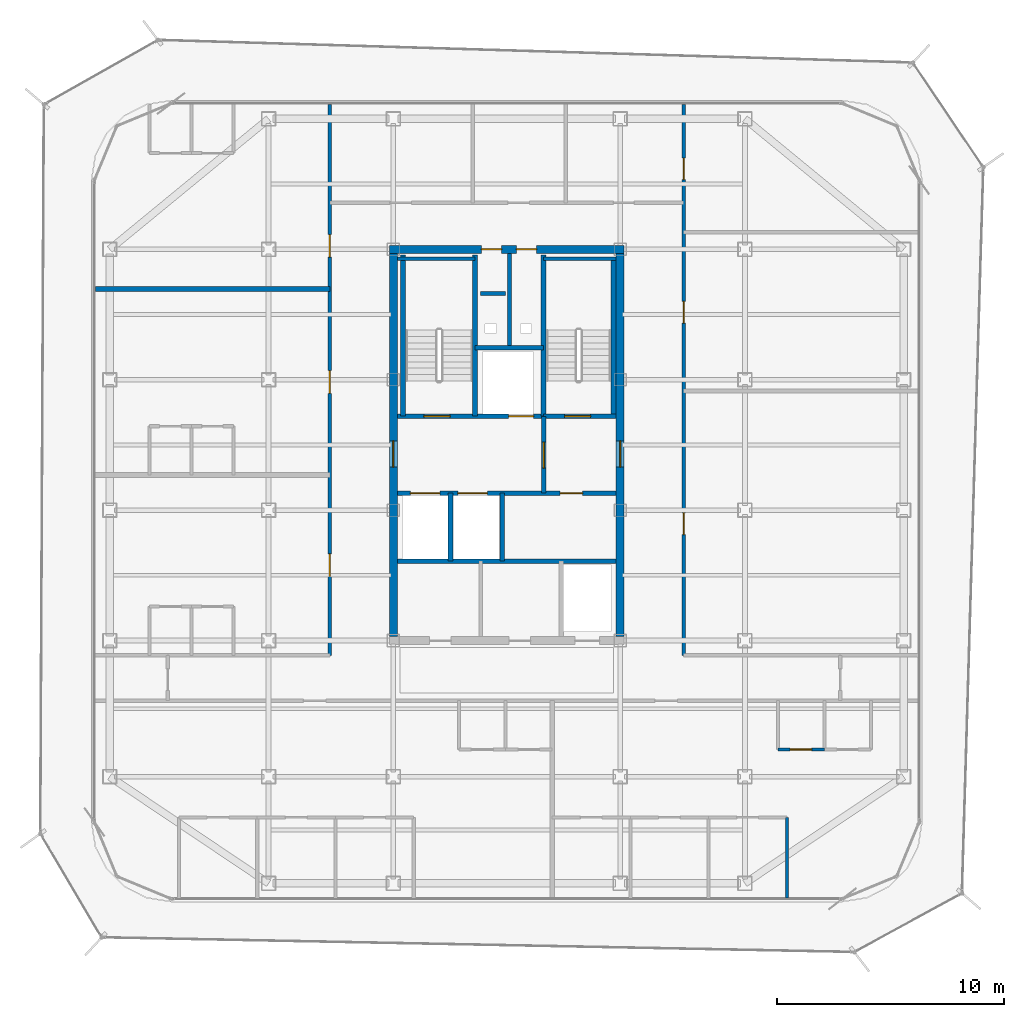
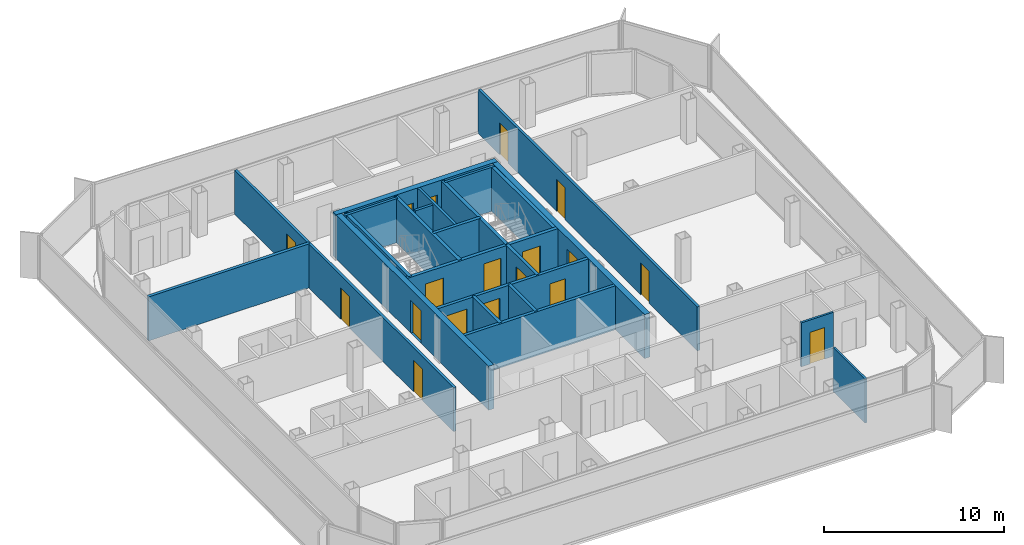
# One storey, part 11 of 15: 24 walls, 18 doors, 18 openings.
"""IFC4 building model written with IfcOpenShell, lengths in metres."""

from ifc_helpers import new_model, si_unit, direction, frame, frame_2d, origin, place, context, subcontext, project, spatial, rectangle, extrude, material, layer, layer_set, type_object, element, fill, save


model = new_model("IFC4")

# Units and contexts
model_context = context("Model", 3, precision=1e-05, world=origin(), true_north=direction((0.0, 1.0)))
body_context = subcontext(model_context, "Body", "Model", "MODEL_VIEW")
ifc_project = project(units=[si_unit("LENGTHUNIT", "METRE"), si_unit("AREAUNIT", "SQUARE_METRE"), si_unit("VOLUMEUNIT", "CUBIC_METRE"), si_unit("PLANEANGLEUNIT", "RADIAN"), si_unit("MASSUNIT", "GRAM", prefix="KILO")], contexts=[model_context])

# Site, building, storey
site_placement = place(None, origin())
site = spatial("IfcSite", under=ifc_project, at=site_placement, CompositionType="ELEMENT")
building_placement = place(site_placement, origin())
building = spatial("IfcBuilding", under=site, at=building_placement, Name="Kolveth Station Tower", CompositionType="ELEMENT")
storey_placement = place(building_placement, frame((0.0, 0.0, 258.5)))
storey = spatial("IfcBuildingStorey", under=building, at=storey_placement, Name="L74", CompositionType="ELEMENT", Elevation=258.5)

# Wall, openings, doors
ifc_material_1 = material(Name="Concrete C50/60", Category="concrete")
ifc_layer_1 = layer(ifc_material_1, 0.35009765625)
ifc_layer_set_1 = layer_set([ifc_layer_1], Name="Concrete C50/60")
wall_type_1 = type_object("IfcWallType", Name="Wall_CW-350", PredefinedType="SHEAR", material=ifc_layer_set_1)
wall_1_placement = place(storey_placement, frame((18.324951171875, 28.75, 0.0), z_axis=(0.0, 0.0, 1.0), x_axis=(1.0, 0.0, 0.0)))
wall_1 = element("IfcWall", 1, at=wall_1_placement, inside=storey, type_object=wall_type_1, Name="L74 Core RC Shear Wall N", PredefinedType="SHEAR", context=body_context, shape_type="SweptSolid", body=[
    extrude(rectangle(XDim=10.35009765625, YDim=0.35009765625, at=frame_2d((5.175048828125, 0.0))), origin(), (0.0, 0.0, 1.0), 2.97998046875),
])
opening_1_placement = place(wall_1_placement, frame((4.054931640625, 0.0, 0.0)))
opening_1 = element("IfcOpeningElement", 2, at=opening_1_placement, cuts=wall_1, Name="Opening RD1", PredefinedType="OPENING", context=body_context, shape_type="SweptSolid", body=[
    extrude(rectangle(XDim=0.89990234375, YDim=2.050048828125, at=frame_2d((0.449951171875, 1.02490234375))), frame((0.0, 0.18505859375, 0.0), z_axis=(0.0, -1.0, 0.0), x_axis=(1.0, 0.0, 0.0)), (0.0, 0.0, 1.0), 0.3701171875),
])
opening_2_placement = place(wall_1_placement, frame((5.594970703125, 0.0, 0.0)))
opening_2 = element("IfcOpeningElement", 3, at=opening_2_placement, cuts=wall_1, Name="Opening RD1", PredefinedType="OPENING", context=body_context, shape_type="SweptSolid", body=[
    extrude(rectangle(XDim=0.89990234375, YDim=2.050048828125, at=frame_2d((0.449951171875, 1.02490234375))), frame((0.0, 0.18505859375, 0.0), z_axis=(0.0, -1.0, 0.0), x_axis=(1.0, 0.0, 0.0)), (0.0, 0.0, 1.0), 0.3701171875),
])
ifc_material_2 = material(Name="Fire-rated Steel S355 riser access leaf", Category="steel")
door_type_1 = type_object("IfcDoorType", Name="Door_RD1", OperationType="NOTDEFINED", PredefinedType="DOOR", material=ifc_material_2)
door_1_placement = place(opening_1_placement, origin())
door_1 = element("IfcDoor", 4, at=door_1_placement, inside=storey, type_object=door_type_1, Name="L74 Electrical Riser Access Door", OperationType="SINGLE_SWING_RIGHT", OverallHeight=2.050048828125, OverallWidth=0.89990234375, PredefinedType="DOOR", context=body_context, shape_type="SweptSolid", body=[
    extrude(rectangle(XDim=0.89990234375, YDim=2.050048828125, at=frame_2d((0.449951171875, 1.02490234375))), frame((0.0, 0.02490234375, 0.0), z_axis=(0.0, -1.0, 0.0), x_axis=(1.0, 0.0, 0.0)), (0.0, 0.0, 1.0), 0.050048828125),
])
fill(opening_1, door_1)
door_2_placement = place(opening_2_placement, origin())
door_2 = element("IfcDoor", 5, at=door_2_placement, inside=storey, type_object=door_type_1, Name="L74 Smoke Duct Access Door", OperationType="SINGLE_SWING_LEFT", OverallHeight=2.050048828125, OverallWidth=0.89990234375, PredefinedType="DOOR", context=body_context, shape_type="SweptSolid", body=[
    extrude(rectangle(XDim=0.89990234375, YDim=2.050048828125, at=frame_2d((0.449951171875, 1.02490234375))), frame((0.0, 0.02490234375, 0.0), z_axis=(0.0, -1.0, 0.0), x_axis=(1.0, 0.0, 0.0)), (0.0, 0.0, 1.0), 0.050048828125),
])
fill(opening_2, door_2)

# Wall, opening, door
wall_2_placement = place(storey_placement, frame((18.5, 11.675048828125, 0.0), z_axis=(0.0, 0.0, 1.0), x_axis=(0.0, 1.0, 0.0)))
wall_2 = element("IfcWall", 6, at=wall_2_placement, inside=storey, type_object=wall_type_1, Name="L74 Core RC Shear Wall W", PredefinedType="SHEAR", context=body_context, shape_type="SweptSolid", body=[
    extrude(rectangle(XDim=16.89990234375, YDim=0.35009765625, at=frame_2d((8.449951171875, 0.0))), origin(), (0.0, 0.0, 1.0), 2.97998046875),
])
opening_3_placement = place(wall_2_placement, frame((7.47509765625, 0.0, 0.0)))
opening_3 = element("IfcOpeningElement", 7, at=opening_3_placement, cuts=wall_2, Name="Opening FD1", PredefinedType="OPENING", context=body_context, shape_type="SweptSolid", body=[
    extrude(rectangle(XDim=1.14990234375, YDim=2.199951171875, at=frame_2d((0.574951171875, 1.10009765625))), frame((0.0, 0.18505859375, 0.0), z_axis=(0.0, -1.0, 0.0), x_axis=(1.0, 0.0, 0.0)), (0.0, 0.0, 1.0), 0.3701171875),
])
ifc_material_3 = material(Name="Fire-rated Steel S355 leaf and frame", Category="steel")
door_type_2 = type_object("IfcDoorType", Name="Door_FD1", OperationType="NOTDEFINED", PredefinedType="DOOR", material=ifc_material_3)
door_3_placement = place(opening_3_placement, frame((1.14990234375, 0.0, 0.0), z_axis=(0.0, 0.0, 1.0), x_axis=(-1.0, 0.0, 0.0)))
door_3 = element("IfcDoor", 8, at=door_3_placement, inside=storey, type_object=door_type_2, Name="L74 West Corridor to Firefighting Lobby Door", OperationType="SINGLE_SWING_LEFT", OverallHeight=2.199951171875, OverallWidth=1.14990234375, PredefinedType="DOOR", context=body_context, shape_type="SweptSolid", body=[
    extrude(rectangle(XDim=1.14990234375, YDim=2.199951171875, at=frame_2d((0.574951171875, 1.10009765625))), frame((0.0, 0.02490234375, 0.0), z_axis=(0.0, -1.0, 0.0), x_axis=(1.0, 0.0, 0.0)), (0.0, 0.0, 1.0), 0.050048828125),
])
fill(opening_3, door_3)

wall_3_placement = place(storey_placement, frame((28.5, 11.675048828125, 0.0), z_axis=(0.0, 0.0, 1.0), x_axis=(0.0, 1.0, 0.0)))
wall_3 = element("IfcWall", 9, at=wall_3_placement, inside=storey, type_object=wall_type_1, Name="L74 Core RC Shear Wall E", PredefinedType="SHEAR", context=body_context, shape_type="SweptSolid", body=[
    extrude(rectangle(XDim=16.89990234375, YDim=0.35009765625, at=frame_2d((8.449951171875, 0.0))), origin(), (0.0, 0.0, 1.0), 2.97998046875),
])
opening_4_placement = place(wall_3_placement, frame((7.47509765625, 0.0, 0.0)))
opening_4 = element("IfcOpeningElement", 10, at=opening_4_placement, cuts=wall_3, Name="Opening FD1", PredefinedType="OPENING", context=body_context, shape_type="SweptSolid", body=[
    extrude(rectangle(XDim=1.14990234375, YDim=2.199951171875, at=frame_2d((0.574951171875, 1.10009765625))), frame((0.0, 0.18505859375, 0.0), z_axis=(0.0, -1.0, 0.0), x_axis=(1.0, 0.0, 0.0)), (0.0, 0.0, 1.0), 0.3701171875),
])
door_4_placement = place(opening_4_placement, origin())
door_4 = element("IfcDoor", 11, at=door_4_placement, inside=storey, type_object=door_type_2, Name="L74 East Corridor to Stair Lobby Door", OperationType="SINGLE_SWING_LEFT", OverallHeight=2.199951171875, OverallWidth=1.14990234375, PredefinedType="DOOR", context=body_context, shape_type="SweptSolid", body=[
    extrude(rectangle(XDim=1.14990234375, YDim=2.199951171875, at=frame_2d((0.574951171875, 1.10009765625))), frame((0.0, 0.02490234375, 0.0), z_axis=(0.0, -1.0, 0.0), x_axis=(1.0, 0.0, 0.0)), (0.0, 0.0, 1.0), 0.050048828125),
])
fill(opening_4, door_4)

ifc_material_4 = material(Name="Moisture-resistant gypsum partition")
ifc_layer_2 = layer(ifc_material_4, 0.135009765625)
ifc_layer_set_2 = layer_set([ifc_layer_2], Name="Moisture-resistant gypsum partition")
wall_type_2 = type_object("IfcWallType", Name="Wall_IW-135", PredefinedType="PARTITIONING", material=ifc_layer_set_2)
wall_4_placement = place(storey_placement, frame((35.449951171875, 6.699951171875, 0.0), z_axis=(0.0, 0.0, 1.0), x_axis=(1.0, 0.0, 0.0)))
wall_4 = element("IfcWall", 12, at=wall_4_placement, inside=storey, type_object=wall_type_2, Name="L74 Partition Wall WL-L74-A2-IBHK", PredefinedType="PARTITIONING", context=body_context, shape_type="SweptSolid", body=[
    extrude(rectangle(XDim=2.050048828125, YDim=0.135009765625, at=frame_2d((1.02490234375, 0.0))), origin(), (0.0, 0.0, 1.0), 2.97998046875),
])
opening_5_placement = place(wall_4_placement, frame((0.544921875, 0.0, 0.0)))
opening_5 = element("IfcOpeningElement", 13, at=opening_5_placement, cuts=wall_4, Name="Opening ID1", PredefinedType="OPENING", context=body_context, shape_type="SweptSolid", body=[
    extrude(rectangle(XDim=0.949951171875, YDim=2.14990234375, at=frame_2d((0.47509765625, 1.074951171875))), frame((0.0, 0.077392578125, 0.0), z_axis=(0.0, -1.0, 0.0), x_axis=(1.0, 0.0, 0.0)), (0.0, 0.0, 1.0), 0.155029296875),
])
ifc_material_5 = material(Name="Acoustic hardwood leaf and aluminium frame", Category="wood")
door_type_3 = type_object("IfcDoorType", Name="Door_ID1", OperationType="NOTDEFINED", PredefinedType="DOOR", material=ifc_material_5)
door_5_placement = place(opening_5_placement, origin())
door_5 = element("IfcDoor", 14, at=door_5_placement, inside=storey, type_object=door_type_3, Name="Penthouse Flat L74-A2 Kitchen Door", OperationType="SINGLE_SWING_RIGHT", OverallHeight=2.14990234375, OverallWidth=0.949951171875, PredefinedType="DOOR", context=body_context, shape_type="SweptSolid", body=[
    extrude(rectangle(XDim=0.949951171875, YDim=2.14990234375, at=frame_2d((0.47509765625, 1.074951171875))), frame((0.0, 0.02490234375, 0.0), z_axis=(0.0, -1.0, 0.0), x_axis=(1.0, 0.0, 0.0)), (0.0, 0.0, 1.0), 0.050048828125),
])
fill(opening_5, door_5)

# Walls
wall_5_placement = place(storey_placement, frame((35.85009765625, 0.159912109375, 0.0), z_axis=(0.0, 0.0, 1.0), x_axis=(0.0, 1.0, 0.0)))
element("IfcWall", 15, at=wall_5_placement, inside=storey, type_object=wall_type_2, Name="L74 Partition Wall WL-L74-A2-BDVE", PredefinedType="PARTITIONING", context=body_context, shape_type="SweptSolid", body=[
    extrude(rectangle(XDim=3.550048828125, YDim=0.135009765625, at=frame_2d((1.77490234375, 0.0))), origin(), (0.0, 0.0, 1.0), 2.97998046875),
])
ifc_material_6 = material(Name="Acoustic double-stud gypsum partition")
ifc_layer_3 = layer(ifc_material_6, 0.1650390625)
ifc_layer_set_3 = layer_set([ifc_layer_3], Name="Acoustic double-stud gypsum partition")
wall_type_3 = type_object("IfcWallType", Name="Wall_IW-165", PredefinedType="PARTITIONING", material=ifc_layer_set_3)
wall_6_placement = place(storey_placement, frame((18.68505859375, 28.3349609375, 0.0), z_axis=(0.0, 0.0, 1.0), x_axis=(1.0, 0.0, 0.0)))
element("IfcWall", 16, at=wall_6_placement, inside=storey, type_object=wall_type_3, Name="L74 Stair Shaft Wall WL-L74-ST1-N", PredefinedType="PARTITIONING", context=body_context, shape_type="SweptSolid", body=[
    extrude(rectangle(XDim=3.425048828125, YDim=0.1650390625, at=frame_2d((1.71240234375, 0.0))), origin(), (0.0, 0.0, 1.0), 2.97998046875),
])
wall_7_placement = place(storey_placement, frame((25.1298828125, 28.3349609375, 0.0), z_axis=(0.0, 0.0, 1.0), x_axis=(1.0, 0.0, 0.0)))
element("IfcWall", 17, at=wall_7_placement, inside=storey, type_object=wall_type_3, Name="L74 Stair Shaft Wall WL-L74-ST2-N", PredefinedType="PARTITIONING", context=body_context, shape_type="SweptSolid", body=[
    extrude(rectangle(XDim=3.18505859375, YDim=0.1650390625, at=frame_2d((1.592529296875, 0.0))), origin(), (0.0, 0.0, 1.0), 2.97998046875),
])
wall_8_placement = place(storey_placement, frame((23.6201171875, 24.39990234375, 0.0), z_axis=(0.0, 0.0, 1.0), x_axis=(0.0, 1.0, 0.0)))
element("IfcWall", 18, at=wall_8_placement, inside=storey, type_object=wall_type_3, Name="L74 Partition Wall WL-L74-RSR-M", PredefinedType="PARTITIONING", context=body_context, shape_type="SweptSolid", body=[
    extrude(rectangle(XDim=4.1650390625, YDim=0.1650390625, at=frame_2d((2.08251953125, 0.0))), origin(), (0.0, 0.0, 1.0), 2.97998046875),
])

# Wall, openings, doors
wall_9_placement = place(storey_placement, frame((15.699951171875, 10.85009765625, 0.0), z_axis=(0.0, 0.0, 1.0), x_axis=(0.0, 1.0, 0.0)))
wall_9 = element("IfcWall", 19, at=wall_9_placement, inside=storey, type_object=wall_type_3, Name="L74 Partition Wall WL-L74-RW", PredefinedType="PARTITIONING", context=body_context, shape_type="SweptSolid", body=[
    extrude(rectangle(XDim=24.289794921875, YDim=0.1650390625, at=frame_2d((12.14501953125, 0.0))), origin(), (0.0, 0.0, 1.0), 2.97998046875),
])
opening_6_placement = place(wall_9_placement, frame((3.47509765625, 0.0, 0.0)))
opening_6 = element("IfcOpeningElement", 20, at=opening_6_placement, cuts=wall_9, Name="Opening FD3", PredefinedType="OPENING", context=body_context, shape_type="SweptSolid", body=[
    extrude(rectangle(XDim=1.0, YDim=2.14990234375, at=frame_2d((0.5, 1.074951171875))), frame((0.0, 0.092529296875, 0.0), z_axis=(0.0, -1.0, 0.0), x_axis=(1.0, 0.0, 0.0)), (0.0, 0.0, 1.0), 0.18505859375),
])
opening_7_placement = place(wall_9_placement, frame((11.550048828125, 0.0, 0.0)))
opening_7 = element("IfcOpeningElement", 21, at=opening_7_placement, cuts=wall_9, Name="Opening FD3", PredefinedType="OPENING", context=body_context, shape_type="SweptSolid", body=[
    extrude(rectangle(XDim=1.0, YDim=2.14990234375, at=frame_2d((0.5, 1.074951171875))), frame((0.0, 0.092529296875, 0.0), z_axis=(0.0, -1.0, 0.0), x_axis=(1.0, 0.0, 0.0)), (0.0, 0.0, 1.0), 0.18505859375),
])
opening_8_placement = place(wall_9_placement, frame((17.550048828125, 0.0, 0.0)))
opening_8 = element("IfcOpeningElement", 22, at=opening_8_placement, cuts=wall_9, Name="Opening FD3", PredefinedType="OPENING", context=body_context, shape_type="SweptSolid", body=[
    extrude(rectangle(XDim=1.0, YDim=2.14990234375, at=frame_2d((0.5, 1.074951171875))), frame((0.0, 0.092529296875, 0.0), z_axis=(0.0, -1.0, 0.0), x_axis=(1.0, 0.0, 0.0)), (0.0, 0.0, 1.0), 0.18505859375),
])
ifc_material_7 = material(Name="Fire-rated hardwood leaf and aluminium frame", Category="wood")
door_type_4 = type_object("IfcDoorType", Name="Door_FD3", OperationType="NOTDEFINED", PredefinedType="DOOR", material=ifc_material_7)
door_6_placement = place(opening_6_placement, origin())
door_6 = element("IfcDoor", 23, at=door_6_placement, inside=storey, type_object=door_type_4, Name="Flat L74-W1 Entrance Door", OperationType="SINGLE_SWING_RIGHT", OverallHeight=2.14990234375, OverallWidth=1.0, PredefinedType="DOOR", context=body_context, shape_type="SweptSolid", body=[
    extrude(rectangle(XDim=1.0, YDim=2.14990234375, at=frame_2d((0.5, 1.074951171875))), frame((0.0, 0.02490234375, 0.0), z_axis=(0.0, -1.0, 0.0), x_axis=(1.0, 0.0, 0.0)), (0.0, 0.0, 1.0), 0.050048828125),
])
fill(opening_6, door_6)
door_7_placement = place(opening_7_placement, origin())
door_7 = element("IfcDoor", 24, at=door_7_placement, inside=storey, type_object=door_type_4, Name="Flat L74-W2 Entrance Door", OperationType="SINGLE_SWING_LEFT", OverallHeight=2.14990234375, OverallWidth=1.0, PredefinedType="DOOR", context=body_context, shape_type="SweptSolid", body=[
    extrude(rectangle(XDim=1.0, YDim=2.14990234375, at=frame_2d((0.5, 1.074951171875))), frame((0.0, 0.02490234375, 0.0), z_axis=(0.0, -1.0, 0.0), x_axis=(1.0, 0.0, 0.0)), (0.0, 0.0, 1.0), 0.050048828125),
])
fill(opening_7, door_7)
door_8_placement = place(opening_8_placement, origin())
door_8 = element("IfcDoor", 25, at=door_8_placement, inside=storey, type_object=door_type_4, Name="Flat L74-W3 Entrance Door", OperationType="SINGLE_SWING_RIGHT", OverallHeight=2.14990234375, OverallWidth=1.0, PredefinedType="DOOR", context=body_context, shape_type="SweptSolid", body=[
    extrude(rectangle(XDim=1.0, YDim=2.14990234375, at=frame_2d((0.5, 1.074951171875))), frame((0.0, 0.02490234375, 0.0), z_axis=(0.0, -1.0, 0.0), x_axis=(1.0, 0.0, 0.0)), (0.0, 0.0, 1.0), 0.050048828125),
])
fill(opening_8, door_8)

wall_10_placement = place(storey_placement, frame((31.300048828125, 10.85009765625, 0.0), z_axis=(0.0, 0.0, 1.0), x_axis=(0.0, 1.0, 0.0)))
wall_10 = element("IfcWall", 26, at=wall_10_placement, inside=storey, type_object=wall_type_3, Name="L74 Partition Wall WL-L74-RE", PredefinedType="PARTITIONING", context=body_context, shape_type="SweptSolid", body=[
    extrude(rectangle(XDim=24.289794921875, YDim=0.1650390625, at=frame_2d((12.14501953125, 0.0))), origin(), (0.0, 0.0, 1.0), 2.97998046875),
])
opening_9_placement = place(wall_10_placement, frame((5.324951171875, 0.0, 0.0)))
opening_9 = element("IfcOpeningElement", 27, at=opening_9_placement, cuts=wall_10, Name="Opening ID1", PredefinedType="OPENING", context=body_context, shape_type="SweptSolid", body=[
    extrude(rectangle(XDim=0.949951171875, YDim=2.14990234375, at=frame_2d((0.47509765625, 1.074951171875))), frame((0.0, 0.092529296875, 0.0), z_axis=(0.0, -1.0, 0.0), x_axis=(1.0, 0.0, 0.0)), (0.0, 0.0, 1.0), 0.18505859375),
])
opening_10_placement = place(wall_10_placement, frame((14.64990234375, 0.0, 0.0)))
opening_10 = element("IfcOpeningElement", 28, at=opening_10_placement, cuts=wall_10, Name="Opening ID1", PredefinedType="OPENING", context=body_context, shape_type="SweptSolid", body=[
    extrude(rectangle(XDim=0.949951171875, YDim=2.14990234375, at=frame_2d((0.47509765625, 1.074951171875))), frame((0.0, 0.092529296875, 0.0), z_axis=(0.0, -1.0, 0.0), x_axis=(1.0, 0.0, 0.0)), (0.0, 0.0, 1.0), 0.18505859375),
])
opening_11_placement = place(wall_10_placement, frame((20.969970703125, 0.0, 0.0)))
opening_11 = element("IfcOpeningElement", 29, at=opening_11_placement, cuts=wall_10, Name="Opening ID1", PredefinedType="OPENING", context=body_context, shape_type="SweptSolid", body=[
    extrude(rectangle(XDim=0.949951171875, YDim=2.14990234375, at=frame_2d((0.47509765625, 1.074951171875))), frame((0.0, 0.092529296875, 0.0), z_axis=(0.0, -1.0, 0.0), x_axis=(1.0, 0.0, 0.0)), (0.0, 0.0, 1.0), 0.18505859375),
])
door_9_placement = place(opening_9_placement, origin())
door_9 = element("IfcDoor", 30, at=door_9_placement, inside=storey, type_object=door_type_3, Name="L74 Sky Dining Salon East Door", OperationType="SINGLE_SWING_LEFT", OverallHeight=2.14990234375, OverallWidth=0.949951171875, PredefinedType="DOOR", context=body_context, shape_type="SweptSolid", body=[
    extrude(rectangle(XDim=0.949951171875, YDim=2.14990234375, at=frame_2d((0.47509765625, 1.074951171875))), frame((0.0, 0.02490234375, 0.0), z_axis=(0.0, -1.0, 0.0), x_axis=(1.0, 0.0, 0.0)), (0.0, 0.0, 1.0), 0.050048828125),
])
fill(opening_9, door_9)
door_10_placement = place(opening_10_placement, origin())
door_10 = element("IfcDoor", 31, at=door_10_placement, inside=storey, type_object=door_type_3, Name="L74 Private Music Room Door", OperationType="SINGLE_SWING_LEFT", OverallHeight=2.14990234375, OverallWidth=0.949951171875, PredefinedType="DOOR", context=body_context, shape_type="SweptSolid", body=[
    extrude(rectangle(XDim=0.949951171875, YDim=2.14990234375, at=frame_2d((0.47509765625, 1.074951171875))), frame((0.0, 0.02490234375, 0.0), z_axis=(0.0, -1.0, 0.0), x_axis=(1.0, 0.0, 0.0)), (0.0, 0.0, 1.0), 0.050048828125),
])
fill(opening_10, door_10)
door_11_placement = place(opening_11_placement, origin())
door_11 = element("IfcDoor", 32, at=door_11_placement, inside=storey, type_object=door_type_3, Name="L74 Catering Pantry Door", OperationType="SINGLE_SWING_LEFT", OverallHeight=2.14990234375, OverallWidth=0.949951171875, PredefinedType="DOOR", context=body_context, shape_type="SweptSolid", body=[
    extrude(rectangle(XDim=0.949951171875, YDim=2.14990234375, at=frame_2d((0.47509765625, 1.074951171875))), frame((0.0, 0.02490234375, 0.0), z_axis=(0.0, -1.0, 0.0), x_axis=(1.0, 0.0, 0.0)), (0.0, 0.0, 1.0), 0.050048828125),
])
fill(opening_11, door_11)

# Walls
wall_11_placement = place(storey_placement, frame((22.35009765625, 26.800048828125, 0.0), z_axis=(0.0, 0.0, 1.0), x_axis=(1.0, 0.0, 0.0)))
element("IfcWall", 33, at=wall_11_placement, inside=storey, type_object=wall_type_3, Name="L74 Acoustic Riser Dry-Lining Wall", PredefinedType="PARTITIONING", context=body_context, shape_type="SweptSolid", body=[
    extrude(rectangle(XDim=1.099853515625, YDim=0.1650390625, at=frame_2d((0.5498046875, 0.0))), origin(), (0.0, 0.0, 1.0), 2.97998046875),
])
ifc_material_8 = material(Name="Acoustic fire-rated gypsum blockwork", Category="masonry")
ifc_layer_4 = layer(ifc_material_8, 0.199951171875)
ifc_layer_set_4 = layer_set([ifc_layer_4], Name="Acoustic fire-rated gypsum blockwork")
wall_type_4 = type_object("IfcWallType", Name="Wall_IW-200", PredefinedType="PARTITIONING", material=ifc_layer_set_4)
wall_12_placement = place(storey_placement, frame((22.110107421875, 24.39990234375, 0.0), z_axis=(0.0, 0.0, 1.0), x_axis=(1.0, 0.0, 0.0)))
element("IfcWall", 34, at=wall_12_placement, inside=storey, type_object=wall_type_4, Name="L74 Partition Wall WL-L74-RSR-S", PredefinedType="PARTITIONING", context=body_context, shape_type="SweptSolid", body=[
    extrude(rectangle(XDim=3.019775390625, YDim=0.199951171875, at=frame_2d((1.509765625, 0.0))), origin(), (0.0, 0.0, 1.0), 2.97998046875),
])

# Wall, opening, door
wall_13_placement = place(storey_placement, frame((25.1298828125, 18.0, 0.0), z_axis=(0.0, 0.0, 1.0), x_axis=(0.0, 1.0, 0.0)))
wall_13 = element("IfcWall", 35, at=wall_13_placement, inside=storey, type_object=wall_type_4, Name="L74 Partition Wall WL-L74-FFL-E", PredefinedType="PARTITIONING", context=body_context, shape_type="SweptSolid", body=[
    extrude(rectangle(XDim=3.389892578125, YDim=0.199951171875, at=frame_2d((1.69482421875, 0.0))), origin(), (0.0, 0.0, 1.0), 2.97998046875),
])
opening_12_placement = place(wall_13_placement, frame((1.10009765625, 0.0, 0.0)))
opening_12 = element("IfcOpeningElement", 36, at=opening_12_placement, cuts=wall_13, Name="Opening FD1", PredefinedType="OPENING", context=body_context, shape_type="SweptSolid", body=[
    extrude(rectangle(XDim=1.14990234375, YDim=2.199951171875, at=frame_2d((0.574951171875, 1.10009765625))), frame((0.0, 0.10986328125, 0.0), z_axis=(0.0, -1.0, 0.0), x_axis=(1.0, 0.0, 0.0)), (0.0, 0.0, 1.0), 0.219970703125),
])
door_12_placement = place(opening_12_placement, origin())
door_12 = element("IfcDoor", 37, at=door_12_placement, inside=storey, type_object=door_type_2, Name="L74 Firefighting to Stair Lobby Door", OperationType="SINGLE_SWING_RIGHT", OverallHeight=2.199951171875, OverallWidth=1.14990234375, PredefinedType="DOOR", context=body_context, shape_type="SweptSolid", body=[
    extrude(rectangle(XDim=1.14990234375, YDim=2.199951171875, at=frame_2d((0.574951171875, 1.10009765625))), frame((0.0, 0.02490234375, 0.0), z_axis=(0.0, -1.0, 0.0), x_axis=(1.0, 0.0, 0.0)), (0.0, 0.0, 1.0), 0.050048828125),
])
fill(opening_12, door_12)

# Wall, openings, doors
wall_14_placement = place(storey_placement, frame((18.68505859375, 18.0, 0.0), z_axis=(0.0, 0.0, 1.0), x_axis=(1.0, 0.0, 0.0)))
wall_14 = element("IfcWall", 38, at=wall_14_placement, inside=storey, type_object=wall_type_4, Name="L74 Partition Wall WL-L74-FFL-S", PredefinedType="PARTITIONING", context=body_context, shape_type="SweptSolid", body=[
    extrude(rectangle(XDim=9.6298828125, YDim=0.199951171875, at=frame_2d((4.81494140625, 0.0))), origin(), (0.0, 0.0, 1.0), 2.97998046875),
])
opening_13_placement = place(wall_14_placement, frame((0.56494140625, 0.0, 0.0)))
opening_13 = element("IfcOpeningElement", 39, at=opening_13_placement, cuts=wall_14, Name="Opening LD2", PredefinedType="OPENING", context=body_context, shape_type="SweptSolid", body=[
    extrude(rectangle(XDim=1.300048828125, YDim=2.300048828125, at=frame_2d((0.64990234375, 1.14990234375))), frame((0.0, 0.10986328125, 0.0), z_axis=(0.0, -1.0, 0.0), x_axis=(1.0, 0.0, 0.0)), (0.0, 0.0, 1.0), 0.219970703125),
])
opening_14_placement = place(wall_14_placement, frame((2.6650390625, 0.0, 0.0)))
opening_14 = element("IfcOpeningElement", 40, at=opening_14_placement, cuts=wall_14, Name="Opening LD2", PredefinedType="OPENING", context=body_context, shape_type="SweptSolid", body=[
    extrude(rectangle(XDim=1.300048828125, YDim=2.300048828125, at=frame_2d((0.64990234375, 1.14990234375))), frame((0.0, 0.10986328125, 0.0), z_axis=(0.0, -1.0, 0.0), x_axis=(1.0, 0.0, 0.0)), (0.0, 0.0, 1.0), 0.219970703125),
])
opening_15_placement = place(wall_14_placement, frame((7.1650390625, 0.0, 0.0)))
opening_15 = element("IfcOpeningElement", 41, at=opening_15_placement, cuts=wall_14, Name="Opening FD3", PredefinedType="OPENING", context=body_context, shape_type="SweptSolid", body=[
    extrude(rectangle(XDim=1.0, YDim=2.14990234375, at=frame_2d((0.5, 1.074951171875))), frame((0.0, 0.10986328125, 0.0), z_axis=(0.0, -1.0, 0.0), x_axis=(1.0, 0.0, 0.0)), (0.0, 0.0, 1.0), 0.219970703125),
])
door_13_placement = place(opening_15_placement, frame((1.0, 0.0, 0.0), z_axis=(0.0, 0.0, 1.0), x_axis=(-1.0, 0.0, 0.0)))
door_13 = element("IfcDoor", 42, at=door_13_placement, inside=storey, type_object=door_type_4, Name="L74 Core Staff Pantry Door", OperationType="SINGLE_SWING_LEFT", OverallHeight=2.14990234375, OverallWidth=1.0, PredefinedType="DOOR", context=body_context, shape_type="SweptSolid", body=[
    extrude(rectangle(XDim=1.0, YDim=2.14990234375, at=frame_2d((0.5, 1.074951171875))), frame((0.0, 0.02490234375, 0.0), z_axis=(0.0, -1.0, 0.0), x_axis=(1.0, 0.0, 0.0)), (0.0, 0.0, 1.0), 0.050048828125),
])
fill(opening_15, door_13)
ifc_material_9 = material(Name="Firefighting stainless steel sliding landing doors", Category="steel")
door_type_5 = type_object("IfcDoorType", Name="Door_LD2", OperationType="NOTDEFINED", PredefinedType="DOOR", material=ifc_material_9)
door_14_placement = place(opening_13_placement, origin())
door_14 = element("IfcDoor", 43, at=door_14_placement, inside=storey, type_object=door_type_5, Name="L74 Firefighting Lift FF1 Landing Door", OperationType="DOUBLE_DOOR_SLIDING", OverallHeight=2.300048828125, OverallWidth=1.300048828125, PredefinedType="DOOR", context=body_context, shape_type="SweptSolid", body=[
    extrude(rectangle(XDim=1.300048828125, YDim=2.300048828125, at=frame_2d((0.64990234375, 1.14990234375))), frame((0.0, 0.02490234375, 0.0), z_axis=(0.0, -1.0, 0.0), x_axis=(1.0, 0.0, 0.0)), (0.0, 0.0, 1.0), 0.050048828125),
])
fill(opening_13, door_14)
door_15_placement = place(opening_14_placement, origin())
door_15 = element("IfcDoor", 44, at=door_15_placement, inside=storey, type_object=door_type_5, Name="L74 Firefighting Lift FF2 Landing Door", OperationType="DOUBLE_DOOR_SLIDING", OverallHeight=2.300048828125, OverallWidth=1.300048828125, PredefinedType="DOOR", context=body_context, shape_type="SweptSolid", body=[
    extrude(rectangle(XDim=1.300048828125, YDim=2.300048828125, at=frame_2d((0.64990234375, 1.14990234375))), frame((0.0, 0.02490234375, 0.0), z_axis=(0.0, -1.0, 0.0), x_axis=(1.0, 0.0, 0.0)), (0.0, 0.0, 1.0), 0.050048828125),
])
fill(opening_14, door_15)

# Walls
for number, where, z_axis, x_axis, name in (
    (45, (21.02001953125, 15.0, 0.0), (0.0, 0.0, 1.0), (0.0, 1.0, 0.0), "L74 Partition Wall WL-L74-FF12"),
    (46, (23.300048828125, 15.0, 0.0), (0.0, 0.0, 1.0), (0.0, 1.0, 0.0), "L74 Partition Wall WL-L74-FF2E"),
):
    element("IfcWall", number, at=place(storey_placement, frame(where, z_axis=z_axis, x_axis=x_axis)), inside=storey, type_object=wall_type_4, Name=name, PredefinedType="PARTITIONING", context=body_context, shape_type="SweptSolid", body=[
        extrude(rectangle(XDim=3.0, YDim=0.199951171875, at=frame_2d((1.5, 0.0))), origin(), (0.0, 0.0, 1.0), 2.97998046875),
    ])
wall_15_placement = place(storey_placement, frame((18.68505859375, 15.0, 0.0), z_axis=(0.0, 0.0, 1.0), x_axis=(1.0, 0.0, 0.0)))
element("IfcWall", 47, at=wall_15_placement, inside=storey, type_object=wall_type_4, Name="L74 Partition Wall WL-L74-BOH-S", PredefinedType="PARTITIONING", context=body_context, shape_type="SweptSolid", body=[
    extrude(rectangle(XDim=9.6298828125, YDim=0.199951171875, at=frame_2d((4.81494140625, 0.0))), origin(), (0.0, 0.0, 1.0), 2.97998046875),
])
wall_16_placement = place(storey_placement, frame((5.360107421875, 27.0, 0.0), z_axis=(0.0, 0.0, 1.0), x_axis=(1.0, 0.0, 0.0)))
element("IfcWall", 48, at=wall_16_placement, inside=storey, type_object=wall_type_4, Name="L74 Partition Wall WL-L74-RWU-2", PredefinedType="PARTITIONING", context=body_context, shape_type="SweptSolid", body=[
    extrude(rectangle(XDim=10.33984375, YDim=0.199951171875, at=frame_2d((5.169921875, 0.0))), origin(), (0.0, 0.0, 1.0), 2.97998046875),
])
ifc_material_10 = material(Name="Concrete C40/50", Category="concrete")
ifc_layer_5 = layer(ifc_material_10, 0.219970703125)
ifc_layer_set_5 = layer_set([ifc_layer_5], Name="Concrete C40/50")
wall_type_5 = type_object("IfcWallType", Name="Wall_IW-220", PredefinedType="SOLIDWALL", material=ifc_layer_set_5)
for number, where, z_axis, x_axis, name in (
    (49, (18.929931640625, 21.389892578125, 0.0), (0.0, 0.0, 1.0), (0.0, 1.0, 0.0), "L74 Stair Shaft Wall WL-L74-ST1-W"),
    (50, (22.110107421875, 21.389892578125, 0.0), (0.0, 0.0, 1.0), (0.0, 1.0, 0.0), "L74 Stair Shaft Wall WL-L74-ST1-E"),
    (51, (25.1298828125, 21.389892578125, 0.0), (0.0, 0.0, 1.0), (0.0, 1.0, 0.0), "L74 Stair Shaft Wall WL-L74-ST2-W"),
):
    element("IfcWall", number, at=place(storey_placement, frame(where, z_axis=z_axis, x_axis=x_axis)), inside=storey, type_object=wall_type_5, Name=name, PredefinedType="SOLIDWALL", context=body_context, shape_type="SweptSolid", body=[
        extrude(rectangle(XDim=7.110107421875, YDim=0.219970703125, at=frame_2d((3.55517578125, 0.0))), origin(), (0.0, 0.0, 1.0), 2.97998046875),
    ])
wall_17_placement = place(storey_placement, frame((28.2099609375, 21.389892578125, 0.0), z_axis=(0.0, 0.0, 1.0), x_axis=(0.0, 1.0, 0.0)))
element("IfcWall", 52, at=wall_17_placement, inside=storey, type_object=wall_type_5, Name="L74 Stair Shaft Wall WL-L74-ST2-E", PredefinedType="SOLIDWALL", context=body_context, shape_type="SweptSolid", body=[
    extrude(rectangle(XDim=6.945068359375, YDim=0.219970703125, at=frame_2d((3.47265625, 0.0))), origin(), (0.0, 0.0, 1.0), 2.97998046875),
])

# Wall, openings, doors
wall_18_placement = place(storey_placement, frame((18.68505859375, 21.389892578125, 0.0), z_axis=(0.0, 0.0, 1.0), x_axis=(1.0, 0.0, 0.0)))
wall_18 = element("IfcWall", 53, at=wall_18_placement, inside=storey, type_object=wall_type_5, Name="L74 Stair Shaft Wall WL-L74-ST1-S", PredefinedType="SOLIDWALL", context=body_context, shape_type="SweptSolid", body=[
    extrude(rectangle(XDim=6.44482421875, YDim=0.219970703125, at=frame_2d((3.222412109375, 0.0))), origin(), (0.0, 0.0, 1.0), 2.97998046875),
])
opening_16_placement = place(wall_18_placement, frame((1.1650390625, 0.0, 0.0)))
opening_16 = element("IfcOpeningElement", 54, at=opening_16_placement, cuts=wall_18, Name="Opening FD1", PredefinedType="OPENING", context=body_context, shape_type="SweptSolid", body=[
    extrude(rectangle(XDim=1.14990234375, YDim=2.199951171875, at=frame_2d((0.574951171875, 1.10009765625))), frame((0.0, 0.119873046875, 0.0), z_axis=(0.0, -1.0, 0.0), x_axis=(1.0, 0.0, 0.0)), (0.0, 0.0, 1.0), 0.239990234375),
])
opening_17_placement = place(wall_18_placement, frame((4.89501953125, 0.0, 0.0)))
opening_17 = element("IfcOpeningElement", 55, at=opening_17_placement, cuts=wall_18, Name="Opening LD1", PredefinedType="OPENING", context=body_context, shape_type="SweptSolid", body=[
    extrude(rectangle(XDim=1.10009765625, YDim=2.25, at=frame_2d((0.550048828125, 1.125))), frame((0.0, 0.119873046875, 0.0), z_axis=(0.0, -1.0, 0.0), x_axis=(1.0, 0.0, 0.0)), (0.0, 0.0, 1.0), 0.239990234375),
])
door_16_placement = place(opening_16_placement, frame((1.14990234375, 0.0, 0.0), z_axis=(0.0, 0.0, 1.0), x_axis=(-1.0, 0.0, 0.0)))
door_16 = element("IfcDoor", 56, at=door_16_placement, inside=storey, type_object=door_type_2, Name="L74 Stair ST1 Fire Door", OperationType="SINGLE_SWING_RIGHT", OverallHeight=2.199951171875, OverallWidth=1.14990234375, PredefinedType="DOOR", context=body_context, shape_type="SweptSolid", body=[
    extrude(rectangle(XDim=1.14990234375, YDim=2.199951171875, at=frame_2d((0.574951171875, 1.10009765625))), frame((0.0, 0.02490234375, 0.0), z_axis=(0.0, -1.0, 0.0), x_axis=(1.0, 0.0, 0.0)), (0.0, 0.0, 1.0), 0.050048828125),
])
fill(opening_16, door_16)
ifc_material_11 = material(Name="Brushed stainless steel sliding landing doors", Category="steel")
door_type_6 = type_object("IfcDoorType", Name="Door_LD1", OperationType="NOTDEFINED", PredefinedType="DOOR", material=ifc_material_11)
door_17_placement = place(opening_17_placement, frame((1.10009765625, 0.0, 0.0), z_axis=(0.0, 0.0, 1.0), x_axis=(-1.0, 0.0, 0.0)))
door_17 = element("IfcDoor", 57, at=door_17_placement, inside=storey, type_object=door_type_6, Name="L74 Service Lift SV1 Landing Door", OperationType="DOUBLE_DOOR_SLIDING", OverallHeight=2.25, OverallWidth=1.10009765625, PredefinedType="DOOR", context=body_context, shape_type="SweptSolid", body=[
    extrude(rectangle(XDim=1.10009765625, YDim=2.25, at=frame_2d((0.550048828125, 1.125))), frame((0.0, 0.02490234375, 0.0), z_axis=(0.0, -1.0, 0.0), x_axis=(1.0, 0.0, 0.0)), (0.0, 0.0, 1.0), 0.050048828125),
])
fill(opening_17, door_17)

# Wall, opening, door
wall_19_placement = place(storey_placement, frame((25.1298828125, 21.389892578125, 0.0), z_axis=(0.0, 0.0, 1.0), x_axis=(1.0, 0.0, 0.0)))
wall_19 = element("IfcWall", 58, at=wall_19_placement, inside=storey, type_object=wall_type_5, Name="L74 Stair Shaft Wall WL-L74-ST2-S", PredefinedType="SOLIDWALL", context=body_context, shape_type="SweptSolid", body=[
    extrude(rectangle(XDim=3.18505859375, YDim=0.219970703125, at=frame_2d((1.592529296875, 0.0))), origin(), (0.0, 0.0, 1.0), 2.97998046875),
])
opening_18_placement = place(wall_19_placement, frame((0.919921875, 0.0, 0.0)))
opening_18 = element("IfcOpeningElement", 59, at=opening_18_placement, cuts=wall_19, Name="Opening FD1", PredefinedType="OPENING", context=body_context, shape_type="SweptSolid", body=[
    extrude(rectangle(XDim=1.14990234375, YDim=2.199951171875, at=frame_2d((0.574951171875, 1.10009765625))), frame((0.0, 0.119873046875, 0.0), z_axis=(0.0, -1.0, 0.0), x_axis=(1.0, 0.0, 0.0)), (0.0, 0.0, 1.0), 0.239990234375),
])
door_18_placement = place(opening_18_placement, frame((1.14990234375, 0.0, 0.0), z_axis=(0.0, 0.0, 1.0), x_axis=(-1.0, 0.0, 0.0)))
door_18 = element("IfcDoor", 60, at=door_18_placement, inside=storey, type_object=door_type_2, Name="L74 Stair ST2 Fire Door", OperationType="SINGLE_SWING_LEFT", OverallHeight=2.199951171875, OverallWidth=1.14990234375, PredefinedType="DOOR", context=body_context, shape_type="SweptSolid", body=[
    extrude(rectangle(XDim=1.14990234375, YDim=2.199951171875, at=frame_2d((0.574951171875, 1.10009765625))), frame((0.0, 0.02490234375, 0.0), z_axis=(0.0, -1.0, 0.0), x_axis=(1.0, 0.0, 0.0)), (0.0, 0.0, 1.0), 0.050048828125),
])
fill(opening_18, door_18)

save(model, "model.ifc")
